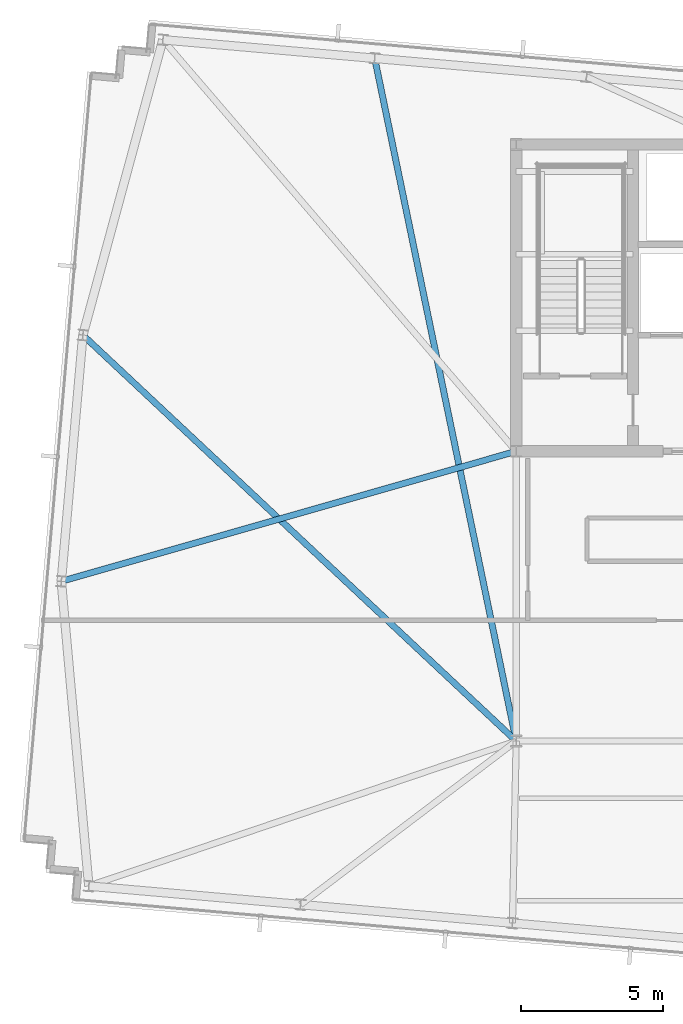
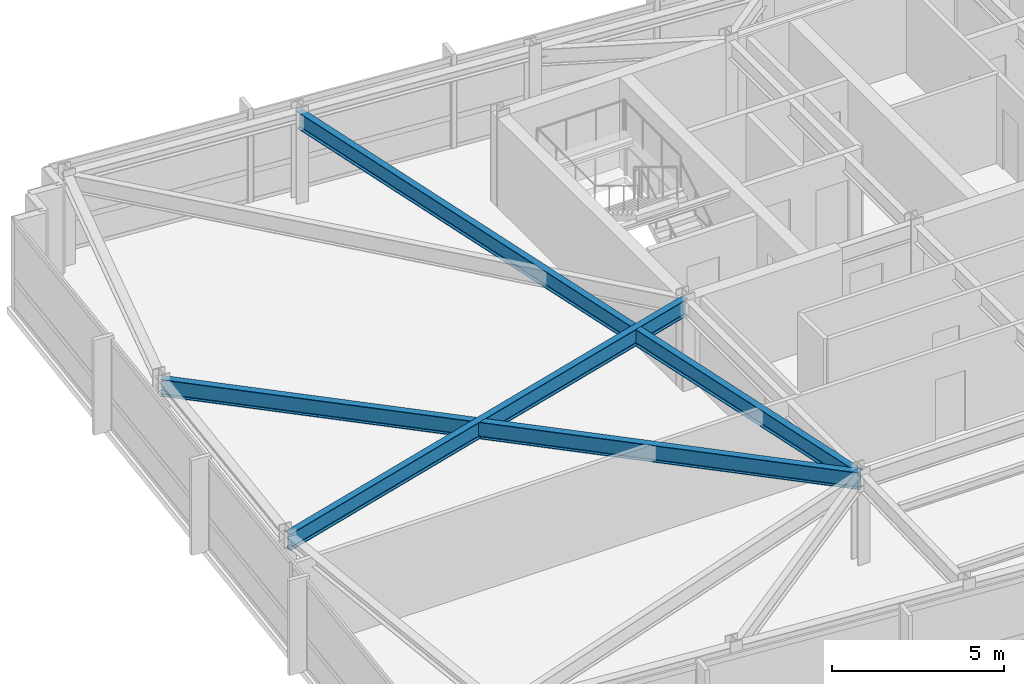
# One storey, part 7 of 24: 3 beams.
"""IFC4 building model written with IfcOpenShell, lengths in metres."""

from ifc_helpers import new_model, si_unit, direction, frame, origin, origin_2d, place, context, subcontext, project, spatial, i_section, extrude, material, material_profile, profile_set, type_object, element, save


model = new_model("IFC4")

# Units and contexts
model_context = context("Model", 3, precision=1e-05, world=origin(), true_north=direction((0.0, 1.0)))
body_context = subcontext(model_context, "Body", "Model", "MODEL_VIEW")
ifc_project = project(units=[si_unit("LENGTHUNIT", "METRE"), si_unit("AREAUNIT", "SQUARE_METRE"), si_unit("VOLUMEUNIT", "CUBIC_METRE"), si_unit("PLANEANGLEUNIT", "RADIAN"), si_unit("MASSUNIT", "GRAM", prefix="KILO")], contexts=[model_context])

# Site, building, storey
site_placement = place(None, origin())
site = spatial("IfcSite", under=ifc_project, at=site_placement, CompositionType="ELEMENT")
building_placement = place(site_placement, origin())
building = spatial("IfcBuilding", under=site, at=building_placement, Name="Yelkora Congress Tower", CompositionType="ELEMENT")
storey_placement = place(building_placement, frame((0.0, 0.0, 296.5)))
storey = spatial("IfcBuildingStorey", under=building, at=storey_placement, Name="L83", CompositionType="ELEMENT", Elevation=296.5)

# Beams
ifc_material = material(Name="Steel S355J2", Category="steel")
ifc_material_profile = material_profile(ifc_material, i_section(OverallWidth=0.219970703125, OverallDepth=0.60009765625, WebThickness=0.011962890625, FlangeThickness=0.01904296875, FilletRadius=0.02392578125, at=origin_2d()), Name="IPE 600")
ifc_profile_set = profile_set([ifc_material_profile], Name="Steel S355J2")
beam_type = type_object("IfcBeamType", Name="BM-GIRD-IPE600", PredefinedType="BEAM", material=ifc_profile_set)
beam_1_placement = place(storey_placement, frame((18.058837890625, 49.231689453125, 2.8798828125), z_axis=(0.202961834344, -0.979186649112, 0.0), x_axis=(0.979186649112, 0.202961834344, 0.0)))
element("IfcBeam", 1, at=beam_1_placement, inside=storey, type_object=beam_type, Name="L83 Primary Frame Girder N02", PredefinedType="BEAM", context=body_context, shape_type="SweptSolid", body=[
    extrude(i_section(OverallWidth=0.219970703125, OverallDepth=0.60009765625, WebThickness=0.011962890625, FlangeThickness=0.01904296875, FilletRadius=0.02392578125, at=origin_2d()), origin(), (0.0, 0.0, 1.0), 24.54248046875),
])
beam_2_placement = place(storey_placement, frame((7.029052734375, 30.822998046875, 2.8798828125), z_axis=(0.961486871307, 0.274850861932, 0.0), x_axis=(-0.274850861932, 0.961486871307, 0.0)))
element("IfcBeam", 2, at=beam_2_placement, inside=storey, type_object=beam_type, Name="L83 Primary Frame Girder W01", PredefinedType="BEAM", context=body_context, shape_type="SweptSolid", body=[
    extrude(i_section(OverallWidth=0.219970703125, OverallDepth=0.60009765625, WebThickness=0.011962890625, FlangeThickness=0.01904296875, FilletRadius=0.02392578125, at=origin_2d()), origin(), (0.0, 0.0, 1.0), 16.65234375),
])
beam_3_placement = place(storey_placement, frame((7.787353515625, 39.489990234375, 2.8798828125), z_axis=(0.729760461145, -0.683702910152, 0.0), x_axis=(0.683702910152, 0.729760461145, 0.0)))
element("IfcBeam", 3, at=beam_3_placement, inside=storey, type_object=beam_type, Name="L83 Primary Frame Girder W02", PredefinedType="BEAM", context=body_context, shape_type="SweptSolid", body=[
    extrude(i_section(OverallWidth=0.219970703125, OverallDepth=0.60009765625, WebThickness=0.011962890625, FlangeThickness=0.01904296875, FilletRadius=0.02392578125, at=origin_2d()), origin(), (0.0, 0.0, 1.0), 20.90087890625),
])

save(model, "model.ifc")
